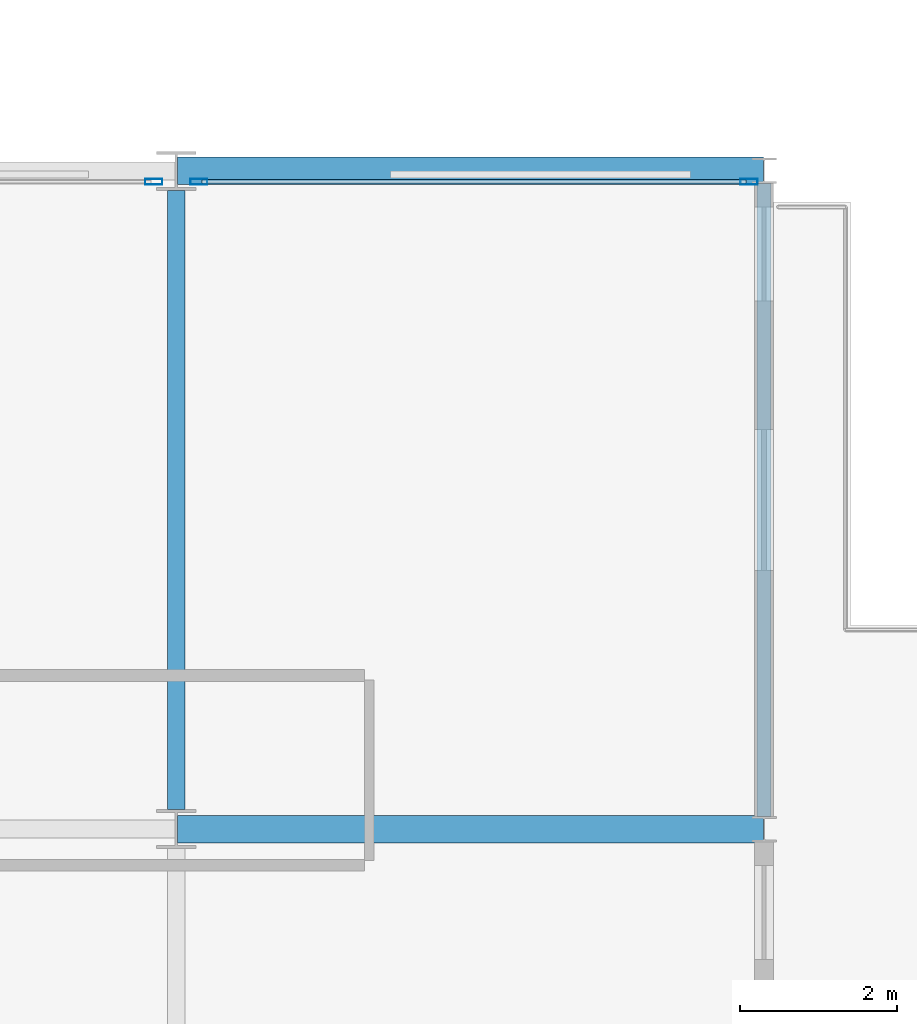
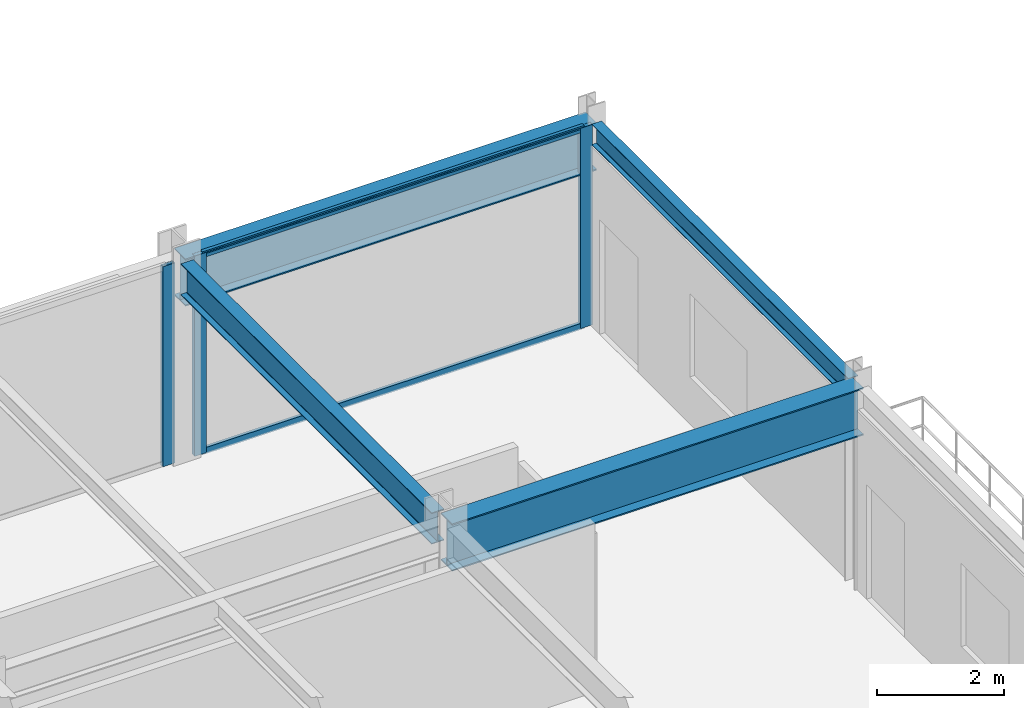
# One storey, part 15 of 26: 5 members, 4 beams, 2 elements without a shape of their own.
"""IFC4 building model written with IfcOpenShell, lengths in metres."""

from ifc_helpers import new_model, si_unit, direction, frame, origin, origin_2d, place, context, subcontext, project, spatial, hollow_rectangle, i_section, extrude, material, layer, layer_set, material_profile, profile_set, type_object, element, aggregate, save


model = new_model("IFC4")

# Units and contexts
model_context = context("Model", 3, precision=1e-05, world=origin(), true_north=direction((0.0, 1.0)))
body_context = subcontext(model_context, "Body", "Model", "MODEL_VIEW")
ifc_project = project(units=[si_unit("LENGTHUNIT", "METRE"), si_unit("AREAUNIT", "SQUARE_METRE"), si_unit("VOLUMEUNIT", "CUBIC_METRE"), si_unit("PLANEANGLEUNIT", "RADIAN"), si_unit("MASSUNIT", "GRAM", prefix="KILO")], contexts=[model_context])

# Site, building, storey
site_placement = place(None, origin())
site = spatial("IfcSite", under=ifc_project, at=site_placement, CompositionType="ELEMENT")
building_placement = place(site_placement, origin())
building = spatial("IfcBuilding", under=site, at=building_placement, Name="Nerrivon Quay Data Exchange", CompositionType="ELEMENT")
storey_placement = place(building_placement, frame((0.0, 0.0, 75.199951171875)))
storey = spatial("IfcBuildingStorey", under=building, at=storey_placement, Name="L17", CompositionType="ELEMENT", Elevation=75.199951171875)

# Beams
ifc_material_1 = material(Name="Steel Grade 350", Category="steel")
ifc_material_profile_1 = material_profile(ifc_material_1, i_section(OverallWidth=0.35009765625, OverallDepth=0.909912109375, WebThickness=0.011962890625, FlangeThickness=0.02490234375, at=origin_2d()), Name="900WB218")
ifc_profile_set_1 = profile_set([ifc_material_profile_1], Name="Steel Grade 350")
beam_type_1 = type_object("IfcBeamType", Name="BM-CANT-900WB", PredefinedType="USERDEFINED", material=ifc_profile_set_1)
for number, where, z_axis, x_axis, name in (
    (1, (50.4140625, 16.800048828125, 3.39501953125), (1.0, 0.0, 0.0), (0.0, 1.0, 0.0), "L17 East Hooked Cantilever Girder Y=16.8"),
    (2, (50.4140625, 25.199951171875, 3.39501953125), (1.0, 0.0, 0.0), (0.0, 1.0, 0.0), "L17 East Hooked Cantilever Girder Y=25.2"),
):
    element("IfcBeam", number, at=place(storey_placement, frame(where, z_axis=z_axis, x_axis=x_axis)), inside=storey, type_object=beam_type_1, Name=name, ObjectType="TRANSFER", PredefinedType="USERDEFINED", context=body_context, shape_type="SweptSolid", body=[
        extrude(i_section(OverallWidth=0.35009765625, OverallDepth=0.909912109375, WebThickness=0.011962890625, FlangeThickness=0.02490234375, at=origin_2d()), origin(), (0.0, 0.0, 1.0), 7.47802734375),
    ])
ifc_material_profile_2 = material_profile(ifc_material_1, i_section(OverallWidth=0.22802734375, OverallDepth=0.60205078125, WebThickness=0.010498046875, FlangeThickness=0.014892578125, FilletRadius=0.013916015625, at=origin_2d()), Name="610UB101")
ifc_profile_set_2 = profile_set([ifc_material_profile_2], Name="Steel Grade 350")
beam_type_2 = type_object("IfcBeamType", Name="BM-G2-610UB101", PredefinedType="BEAM", material=ifc_profile_set_2)
beam_1_placement = place(storey_placement, frame((50.39990234375, 17.050048828125, 3.549072265625), z_axis=(0.0, 1.0, 0.0), x_axis=(-1.0, 0.0, 0.0)))
element("IfcBeam", 3, at=beam_1_placement, inside=storey, type_object=beam_type_2, Name="L17 NS Girder X=50.4 (16.8..25.2)", PredefinedType="BEAM", context=body_context, shape_type="SweptSolid", body=[
    extrude(i_section(OverallWidth=0.22802734375, OverallDepth=0.60205078125, WebThickness=0.010498046875, FlangeThickness=0.014892578125, FilletRadius=0.013916015625, at=origin_2d()), origin(), (0.0, 0.0, 1.0), 7.89990234375),
])
ifc_material_profile_3 = material_profile(ifc_material_1, i_section(OverallWidth=0.177978515625, OverallDepth=0.403076171875, WebThickness=0.007568359375, FlangeThickness=0.010986328125, FilletRadius=0.011474609375, at=origin_2d()), Name="410UB53.7")
ifc_profile_set_3 = profile_set([ifc_material_profile_3], Name="Steel Grade 350")
beam_type_3 = type_object("IfcBeamType", Name="BM-SP2-410UB54", PredefinedType="SPANDREL", material=ifc_profile_set_3)
beam_2_placement = place(storey_placement, frame((57.89990234375, 16.96337890625, 3.6484375), z_axis=(0.0, 1.0, 0.0), x_axis=(-1.0, 0.0, 0.0)))
element("IfcBeam", 4, at=beam_2_placement, inside=storey, type_object=beam_type_3, Name="L17 East Hooked Edge Spandrel", PredefinedType="SPANDREL", context=body_context, shape_type="SweptSolid", body=[
    extrude(i_section(OverallWidth=0.177978515625, OverallDepth=0.403076171875, WebThickness=0.007568359375, FlangeThickness=0.010986328125, FilletRadius=0.011474609375, at=origin_2d()), origin(), (0.0, 0.0, 1.0), 8.0732421875),
])

# Curtain wall, member
ifc_material_2 = material(Name="Anodised aluminium 6063-T6", Category="aluminium")
ifc_layer_1 = layer(ifc_material_2, 0.219970703125)
ifc_layer_set_1 = layer_set([ifc_layer_1], Name="Anodised aluminium 6063-T6")
curtain_wall_type_1 = type_object("IfcCurtainWallType", Name="CW-SYS-01", PredefinedType="NOTDEFINED", material=ifc_layer_set_1)
curtain_wall_1_placement = place(storey_placement, origin())
curtain_wall_1 = element("IfcCurtainWall", 5, at=curtain_wall_1_placement, inside=storey, type_object=curtain_wall_type_1, Name="L17 Unitised Curtain Wall 34", PredefinedType="NOTDEFINED")
ifc_material_profile_4 = material_profile(ifc_material_2, hollow_rectangle(XDim=0.074951171875, YDim=0.219970703125, WallThickness=0.00390625, at=origin_2d()), Name="ALU-MULL-220x75")
ifc_profile_set_4 = profile_set([ifc_material_profile_4], Name="Anodised aluminium 6063-T6")
member_type_1 = type_object("IfcMemberType", Name="CWM-220x75", PredefinedType="MULLION", material=ifc_profile_set_4)
member_1_placement = place(storey_placement, frame((50.112548828125, 25.06005859375, 0.0), z_axis=(0.0, 0.0, 1.0), x_axis=(0.0, 1.0, 0.0)))
member_1 = element("IfcMember", 6, at=member_1_placement, type_object=member_type_1, Name="CW01 mullion 2", PredefinedType="MULLION", context=body_context, shape_type="SweptSolid", body=[
    extrude(hollow_rectangle(XDim=0.074951171875, YDim=0.219970703125, WallThickness=0.00390625, at=origin_2d()), origin(), (0.0, 0.0, 1.0), 3.85009765625),
])
aggregate(curtain_wall_1, [member_1])

# Curtain wall, members
ifc_layer_2 = layer(ifc_material_2, 0.199951171875)
ifc_layer_set_2 = layer_set([ifc_layer_2], Name="Anodised aluminium 6063-T6")
curtain_wall_type_2 = type_object("IfcCurtainWallType", Name="CW-SYS-04", PredefinedType="NOTDEFINED", material=ifc_layer_set_2)
curtain_wall_2_placement = place(storey_placement, origin())
curtain_wall_2 = element("IfcCurtainWall", 7, at=curtain_wall_2_placement, inside=storey, type_object=curtain_wall_type_2, Name="L17 Unitised Curtain Wall 35", PredefinedType="NOTDEFINED")
member_2_placement = place(storey_placement, frame((50.6875, 25.06005859375, 0.0), z_axis=(0.0, 0.0, 1.0), x_axis=(0.0, 1.0, 0.0)))
member_2 = element("IfcMember", 8, at=member_2_placement, type_object=member_type_1, Name="CW04 mullion 1", PredefinedType="MULLION", context=body_context, shape_type="SweptSolid", body=[
    extrude(hollow_rectangle(XDim=0.074951171875, YDim=0.219970703125, WallThickness=0.00390625, at=origin_2d()), origin(), (0.0, 0.0, 1.0), 3.85009765625),
])
member_3_placement = place(storey_placement, frame((57.70703125, 25.06005859375, 0.0), z_axis=(0.0, 0.0, 1.0), x_axis=(0.0, 1.0, 0.0)))
member_3 = element("IfcMember", 9, at=member_3_placement, type_object=member_type_1, Name="CW04 mullion 2", PredefinedType="MULLION", context=body_context, shape_type="SweptSolid", body=[
    extrude(hollow_rectangle(XDim=0.074951171875, YDim=0.219970703125, WallThickness=0.00390625, at=origin_2d()), origin(), (0.0, 0.0, 1.0), 3.85009765625),
])
ifc_material_profile_5 = material_profile(ifc_material_2, hollow_rectangle(XDim=0.06005859375, YDim=0.1201171875, WallThickness=0.003173828125, at=origin_2d()), Name="ALU-TRAN-120x60")
ifc_profile_set_5 = profile_set([ifc_material_profile_5], Name="Anodised aluminium 6063-T6")
member_type_2 = type_object("IfcMemberType", Name="CWT-120x60", PredefinedType="USERDEFINED", material=ifc_profile_set_5)
member_4_placement = place(storey_placement, frame((50.72509765625, 25.06005859375, 0.032470703125), z_axis=(1.0, 0.0, 0.0), x_axis=(0.0, 1.0, 0.0)))
member_4 = element("IfcMember", 10, at=member_4_placement, type_object=member_type_2, Name="CW04 transom 1.1", ObjectType="TRANSOM", PredefinedType="USERDEFINED", context=body_context, shape_type="SweptSolid", body=[
    extrude(hollow_rectangle(XDim=0.06005859375, YDim=0.1201171875, WallThickness=0.003173828125, at=origin_2d()), origin(), (0.0, 0.0, 1.0), 6.9443359375),
])
member_5_placement = place(storey_placement, frame((50.72509765625, 25.06005859375, 3.817626953125), z_axis=(1.0, 0.0, 0.0), x_axis=(0.0, 1.0, 0.0)))
member_5 = element("IfcMember", 11, at=member_5_placement, type_object=member_type_2, Name="CW04 transom 1.2", ObjectType="TRANSOM", PredefinedType="USERDEFINED", context=body_context, shape_type="SweptSolid", body=[
    extrude(hollow_rectangle(XDim=0.06005859375, YDim=0.1201171875, WallThickness=0.003173828125, at=origin_2d()), origin(), (0.0, 0.0, 1.0), 6.9443359375),
])
aggregate(curtain_wall_2, [member_2, member_3, member_4, member_5])

save(model, "model.ifc")
